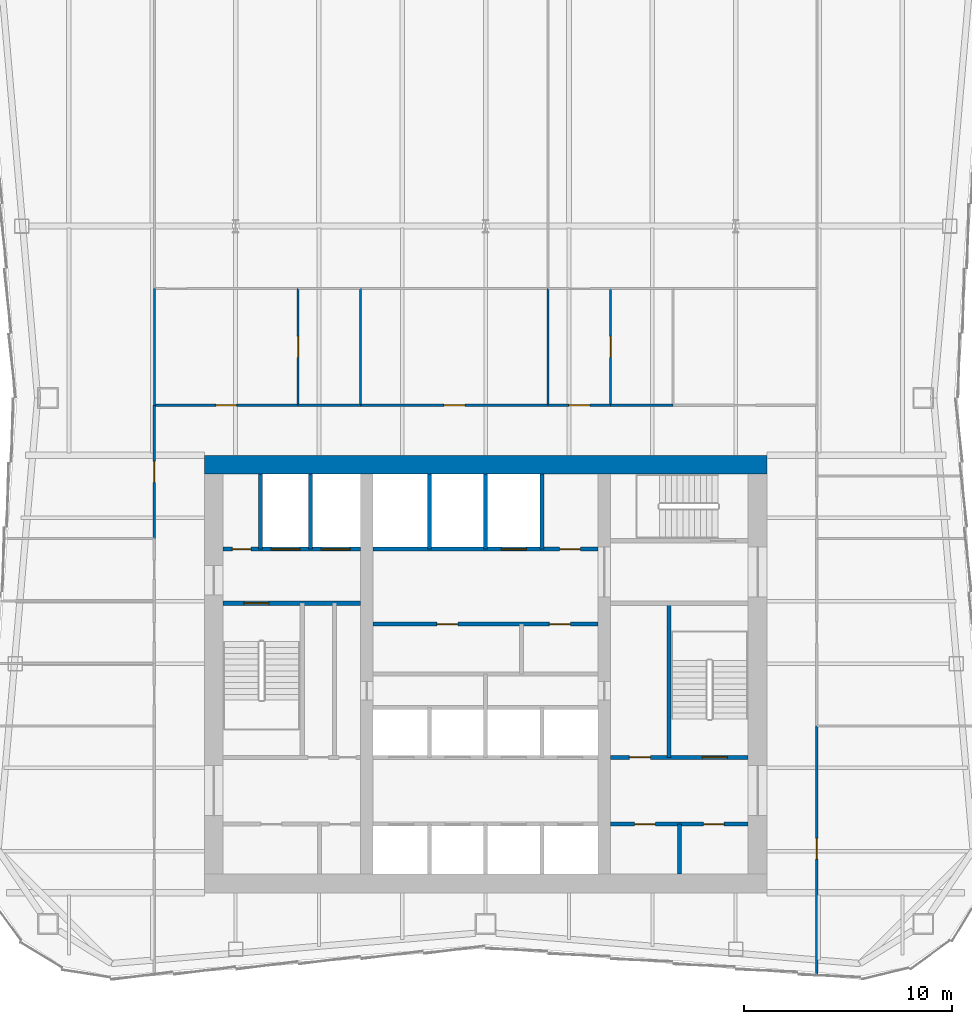
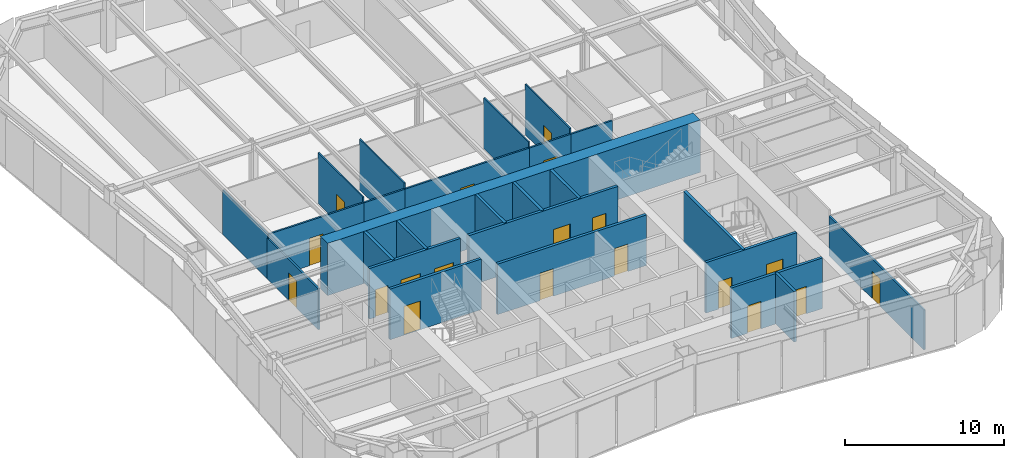
# One storey, part 6 of 10: 26 walls, 19 doors, 19 openings.
"""IFC4 building model written with IfcOpenShell, lengths in metres."""

from ifc_helpers import new_model, si_unit, direction, frame, frame_2d, origin, place, context, subcontext, project, spatial, rectangle, extrude, material, layer, layer_set, type_object, element, fill, save


model = new_model("IFC4")

# Units and contexts
model_context = context("Model", 3, precision=1e-05, world=origin(), true_north=direction((0.0, 1.0)))
body_context = subcontext(model_context, "Body", "Model", "MODEL_VIEW")
ifc_project = project(units=[si_unit("LENGTHUNIT", "METRE"), si_unit("AREAUNIT", "SQUARE_METRE"), si_unit("VOLUMEUNIT", "CUBIC_METRE"), si_unit("PLANEANGLEUNIT", "RADIAN"), si_unit("MASSUNIT", "GRAM", prefix="KILO")], contexts=[model_context])

# Site, building, storey
site_placement = place(None, origin())
site = spatial("IfcSite", under=ifc_project, at=site_placement, CompositionType="ELEMENT")
building_placement = place(site_placement, origin())
building = spatial("IfcBuilding", under=site, at=building_placement, Name="Verdant Reach Tower", CompositionType="ELEMENT")
storey_placement = place(building_placement, frame((0.0, 0.0, 186.0)))
storey = spatial("IfcBuildingStorey", under=building, at=storey_placement, Name="L42", CompositionType="ELEMENT", Elevation=186.0)

# Wall, openings, doors
ifc_material_1 = material(Name="Gypsum board on steel studs", Category="steel")
ifc_layer_1 = layer(ifc_material_1, 0.199951171875)
ifc_layer_set_1 = layer_set([ifc_layer_1], Name="CO-WALL-ROOM")
wall_type_1 = type_object("IfcWallType", Name="CO-WALL-ROOM", PredefinedType="PARTITIONING", material=ifc_layer_set_1)
wall_1_placement = place(storey_placement, frame((6.0, 20.800048828125, 0.0), z_axis=(0.0, 0.0, 1.0), x_axis=(1.0, 0.0, 0.0)))
wall_1 = element("IfcWall", 1, at=wall_1_placement, inside=storey, type_object=wall_type_1, Name="Core partition, L42", PredefinedType="PARTITIONING", context=body_context, shape_type="SweptSolid", body=[
    extrude(rectangle(XDim=6.60009765625, YDim=0.199951171875, at=frame_2d((3.300048828125, 0.0))), origin(), (0.0, 0.0, 1.0), 3.8701171875),
])
opening_1_placement = place(wall_1_placement, frame((1.14990234375, 0.0, 0.0)))
opening_1 = element("IfcOpeningElement", 2, at=opening_1_placement, cuts=wall_1, Name="Opening CD", PredefinedType="OPENING", context=body_context, shape_type="SweptSolid", body=[
    extrude(rectangle(XDim=1.0, YDim=2.10009765625, at=frame_2d((0.5, 1.050048828125))), frame((0.0, 0.10986328125, 0.0), z_axis=(0.0, -1.0, 0.0), x_axis=(1.0, 0.0, 0.0)), (0.0, 0.0, 1.0), 0.219970703125),
])
opening_2_placement = place(wall_1_placement, frame((4.449951171875, 0.0, 0.0)))
opening_2 = element("IfcOpeningElement", 3, at=opening_2_placement, cuts=wall_1, Name="Opening CD", PredefinedType="OPENING", context=body_context, shape_type="SweptSolid", body=[
    extrude(rectangle(XDim=1.0, YDim=2.10009765625, at=frame_2d((0.5, 1.050048828125))), frame((0.0, 0.10986328125, 0.0), z_axis=(0.0, -1.0, 0.0), x_axis=(1.0, 0.0, 0.0)), (0.0, 0.0, 1.0), 0.219970703125),
])
ifc_material_2 = material(Name="Timber", Category="wood")
door_type_1 = type_object("IfcDoorType", Name="CO-DOOR-ROOM", OperationType="NOTDEFINED", PredefinedType="DOOR", material=ifc_material_2)
door_1_placement = place(opening_1_placement, origin())
door_1 = element("IfcDoor", 4, at=door_1_placement, inside=storey, type_object=door_type_1, Name="Core room door, L42", OperationType="SINGLE_SWING_LEFT", OverallHeight=2.10009765625, OverallWidth=1.0, PredefinedType="DOOR", context=body_context, shape_type="SweptSolid", body=[
    extrude(rectangle(XDim=1.0, YDim=2.10009765625, at=frame_2d((0.5, 1.050048828125))), frame((0.0, 0.02490234375, 0.0), z_axis=(0.0, -1.0, 0.0), x_axis=(1.0, 0.0, 0.0)), (0.0, 0.0, 1.0), 0.050048828125),
])
fill(opening_1, door_1)
door_2_placement = place(opening_2_placement, origin())
door_2 = element("IfcDoor", 5, at=door_2_placement, inside=storey, type_object=door_type_1, Name="Core room door, L42", OperationType="SINGLE_SWING_LEFT", OverallHeight=2.10009765625, OverallWidth=1.0, PredefinedType="DOOR", context=body_context, shape_type="SweptSolid", body=[
    extrude(rectangle(XDim=1.0, YDim=2.10009765625, at=frame_2d((0.5, 1.050048828125))), frame((0.0, 0.02490234375, 0.0), z_axis=(0.0, -1.0, 0.0), x_axis=(1.0, 0.0, 0.0)), (0.0, 0.0, 1.0), 0.050048828125),
])
fill(opening_2, door_2)

wall_2_placement = place(storey_placement, frame((-5.39990234375, 30.39990234375, 0.0), z_axis=(0.0, 0.0, 1.0), x_axis=(1.0, 0.0, 0.0)))
wall_2 = element("IfcWall", 6, at=wall_2_placement, inside=storey, type_object=wall_type_1, Name="Core partition, L42", PredefinedType="PARTITIONING", context=body_context, shape_type="SweptSolid", body=[
    extrude(rectangle(XDim=10.7998046875, YDim=0.199951171875, at=frame_2d((5.39990234375, 0.0))), origin(), (0.0, 0.0, 1.0), 3.8701171875),
])
opening_3_placement = place(wall_2_placement, frame((3.06396484375, 0.0, 0.0)))
opening_3 = element("IfcOpeningElement", 7, at=opening_3_placement, cuts=wall_2, Name="Opening CD", PredefinedType="OPENING", context=body_context, shape_type="SweptSolid", body=[
    extrude(rectangle(XDim=1.0, YDim=2.10009765625, at=frame_2d((0.5, 1.050048828125))), frame((0.0, 0.10986328125, 0.0), z_axis=(0.0, -1.0, 0.0), x_axis=(1.0, 0.0, 0.0)), (0.0, 0.0, 1.0), 0.219970703125),
])
opening_4_placement = place(wall_2_placement, frame((8.464111328125, 0.0, 0.0)))
opening_4 = element("IfcOpeningElement", 8, at=opening_4_placement, cuts=wall_2, Name="Opening CD", PredefinedType="OPENING", context=body_context, shape_type="SweptSolid", body=[
    extrude(rectangle(XDim=1.0, YDim=2.10009765625, at=frame_2d((0.5, 1.050048828125))), frame((0.0, 0.10986328125, 0.0), z_axis=(0.0, -1.0, 0.0), x_axis=(1.0, 0.0, 0.0)), (0.0, 0.0, 1.0), 0.219970703125),
])
door_3_placement = place(opening_3_placement, origin())
door_3 = element("IfcDoor", 9, at=door_3_placement, inside=storey, type_object=door_type_1, Name="Core room door, L42", OperationType="SINGLE_SWING_RIGHT", OverallHeight=2.10009765625, OverallWidth=1.0, PredefinedType="DOOR", context=body_context, shape_type="SweptSolid", body=[
    extrude(rectangle(XDim=1.0, YDim=2.10009765625, at=frame_2d((0.5, 1.050048828125))), frame((0.0, 0.02490234375, 0.0), z_axis=(0.0, -1.0, 0.0), x_axis=(1.0, 0.0, 0.0)), (0.0, 0.0, 1.0), 0.050048828125),
])
fill(opening_3, door_3)
door_4_placement = place(opening_4_placement, origin())
door_4 = element("IfcDoor", 10, at=door_4_placement, inside=storey, type_object=door_type_1, Name="Core room door, L42", OperationType="SINGLE_SWING_LEFT", OverallHeight=2.10009765625, OverallWidth=1.0, PredefinedType="DOOR", context=body_context, shape_type="SweptSolid", body=[
    extrude(rectangle(XDim=1.0, YDim=2.10009765625, at=frame_2d((0.5, 1.050048828125))), frame((0.0, 0.02490234375, 0.0), z_axis=(0.0, -1.0, 0.0), x_axis=(1.0, 0.0, 0.0)), (0.0, 0.0, 1.0), 0.050048828125),
])
fill(opening_4, door_4)

# Wall
wall_3_placement = place(storey_placement, frame((9.300048828125, 18.39990234375, 0.0), z_axis=(0.0, 0.0, 1.0), x_axis=(0.0, 1.0, 0.0)))
element("IfcWall", 11, at=wall_3_placement, inside=storey, type_object=wall_type_1, Name="Core partition, L42", PredefinedType="PARTITIONING", context=body_context, shape_type="SweptSolid", body=[
    extrude(rectangle(XDim=2.400146484375, YDim=0.199951171875, at=frame_2d((1.2001953125, 0.0))), origin(), (0.0, 0.0, 1.0), 3.8701171875),
])

# Wall, openings, doors
ifc_material_3 = material(Name="Concrete C40/50", Category="concrete")
ifc_layer_2 = layer(ifc_material_3, 0.199951171875)
ifc_layer_set_2 = layer_set([ifc_layer_2], Name="CO-WALL-SHAFT")
wall_type_2 = type_object("IfcWallType", Name="CO-WALL-SHAFT", PredefinedType="PARTITIONING", material=ifc_layer_set_2)
wall_4_placement = place(storey_placement, frame((-12.60009765625, 34.0, 0.0), z_axis=(0.0, 0.0, 1.0), x_axis=(1.0, 0.0, 0.0)))
wall_4 = element("IfcWall", 12, at=wall_4_placement, inside=storey, type_object=wall_type_2, Name="Lift shaft wall, L42", PredefinedType="PARTITIONING", context=body_context, shape_type="SweptSolid", body=[
    extrude(rectangle(XDim=6.60009765625, YDim=0.199951171875, at=frame_2d((3.300048828125, 0.0))), origin(), (0.0, 0.0, 1.0), 3.8701171875),
])
opening_5_placement = place(wall_4_placement, frame((4.699951171875, 0.0, 0.0)))
opening_5 = element("IfcOpeningElement", 13, at=opening_5_placement, cuts=wall_4, Name="Opening LD-F1", PredefinedType="OPENING", context=body_context, shape_type="SweptSolid", body=[
    extrude(rectangle(XDim=1.39990234375, YDim=2.199951171875, at=frame_2d((0.699951171875, 1.10009765625))), frame((0.0, 0.10986328125, 0.0), z_axis=(0.0, -1.0, 0.0), x_axis=(1.0, 0.0, 0.0)), (0.0, 0.0, 1.0), 0.219970703125),
])
opening_6_placement = place(wall_4_placement, frame((2.300048828125, 0.0, 0.0)))
opening_6 = element("IfcOpeningElement", 14, at=opening_6_placement, cuts=wall_4, Name="Opening LD-F2", PredefinedType="OPENING", context=body_context, shape_type="SweptSolid", body=[
    extrude(rectangle(XDim=1.39990234375, YDim=2.199951171875, at=frame_2d((0.699951171875, 1.10009765625))), frame((0.0, 0.10986328125, 0.0), z_axis=(0.0, -1.0, 0.0), x_axis=(1.0, 0.0, 0.0)), (0.0, 0.0, 1.0), 0.219970703125),
])
opening_7_placement = place(wall_4_placement, frame((0.449951171875, 0.0, 0.0)))
opening_7 = element("IfcOpeningElement", 15, at=opening_7_placement, cuts=wall_4, Name="Opening RD", PredefinedType="OPENING", context=body_context, shape_type="SweptSolid", body=[
    extrude(rectangle(XDim=0.89990234375, YDim=2.10009765625, at=frame_2d((0.449951171875, 1.050048828125))), frame((0.0, 0.10986328125, 0.0), z_axis=(0.0, -1.0, 0.0), x_axis=(1.0, 0.0, 0.0)), (0.0, 0.0, 1.0), 0.219970703125),
])
ifc_material_4 = material(Name="Stainless steel", Category="steel")
door_type_2 = type_object("IfcDoorType", Name="CO-DOOR-LANDING-FF", OperationType="SLIDING_TO_LEFT", PredefinedType="DOOR", material=ifc_material_4)
door_5_placement = place(opening_5_placement, origin())
door_5 = element("IfcDoor", 16, at=door_5_placement, inside=storey, type_object=door_type_2, Name="Landing door F1, L42", OperationType="SLIDING_TO_LEFT", OverallHeight=2.199951171875, OverallWidth=1.39990234375, PredefinedType="DOOR", context=body_context, shape_type="SweptSolid", body=[
    extrude(rectangle(XDim=1.39990234375, YDim=2.199951171875, at=frame_2d((0.699951171875, 1.10009765625))), frame((0.0, 0.02490234375, 0.0), z_axis=(0.0, -1.0, 0.0), x_axis=(1.0, 0.0, 0.0)), (0.0, 0.0, 1.0), 0.050048828125),
])
fill(opening_5, door_5)
door_6_placement = place(opening_6_placement, origin())
door_6 = element("IfcDoor", 17, at=door_6_placement, inside=storey, type_object=door_type_2, Name="Landing door F2, L42", OperationType="SLIDING_TO_LEFT", OverallHeight=2.199951171875, OverallWidth=1.39990234375, PredefinedType="DOOR", context=body_context, shape_type="SweptSolid", body=[
    extrude(rectangle(XDim=1.39990234375, YDim=2.199951171875, at=frame_2d((0.699951171875, 1.10009765625))), frame((0.0, 0.02490234375, 0.0), z_axis=(0.0, -1.0, 0.0), x_axis=(1.0, 0.0, 0.0)), (0.0, 0.0, 1.0), 0.050048828125),
])
fill(opening_6, door_6)
ifc_material_5 = material(Name="Steel", Category="steel")
door_type_3 = type_object("IfcDoorType", Name="CO-DOOR-RISER", OperationType="NOTDEFINED", PredefinedType="DOOR", material=ifc_material_5)
door_7_placement = place(opening_7_placement, origin())
door_7 = element("IfcDoor", 18, at=door_7_placement, inside=storey, type_object=door_type_3, Name="Core room door, L42", OperationType="SINGLE_SWING_RIGHT", OverallHeight=2.10009765625, OverallWidth=0.89990234375, PredefinedType="DOOR", context=body_context, shape_type="SweptSolid", body=[
    extrude(rectangle(XDim=0.89990234375, YDim=2.10009765625, at=frame_2d((0.449951171875, 1.050048828125))), frame((0.0, 0.02490234375, 0.0), z_axis=(0.0, -1.0, 0.0), x_axis=(1.0, 0.0, 0.0)), (0.0, 0.0, 1.0), 0.050048828125),
])
fill(opening_7, door_7)

wall_5_placement = place(storey_placement, frame((-5.39990234375, 34.0, 0.0), z_axis=(0.0, 0.0, 1.0), x_axis=(1.0, 0.0, 0.0)))
wall_5 = element("IfcWall", 19, at=wall_5_placement, inside=storey, type_object=wall_type_2, Name="Lift shaft wall, L42", PredefinedType="PARTITIONING", context=body_context, shape_type="SweptSolid", body=[
    extrude(rectangle(XDim=10.7998046875, YDim=0.199951171875, at=frame_2d((5.39990234375, 0.0))), origin(), (0.0, 0.0, 1.0), 3.8701171875),
])
opening_8_placement = place(wall_5_placement, frame((6.14990234375, 0.0, 0.0)))
opening_8 = element("IfcOpeningElement", 20, at=opening_8_placement, cuts=wall_5, Name="Opening LD-SL1", PredefinedType="OPENING", context=body_context, shape_type="SweptSolid", body=[
    extrude(rectangle(XDim=1.199951171875, YDim=2.199951171875, at=frame_2d((0.60009765625, 1.10009765625))), frame((0.0, 0.10986328125, 0.0), z_axis=(0.0, -1.0, 0.0), x_axis=(1.0, 0.0, 0.0)), (0.0, 0.0, 1.0), 0.219970703125),
])
opening_9_placement = place(wall_5_placement, frame((8.949951171875, 0.0, 0.0)))
opening_9 = element("IfcOpeningElement", 21, at=opening_9_placement, cuts=wall_5, Name="Opening CD", PredefinedType="OPENING", context=body_context, shape_type="SweptSolid", body=[
    extrude(rectangle(XDim=1.0, YDim=2.10009765625, at=frame_2d((0.5, 1.050048828125))), frame((0.0, 0.10986328125, 0.0), z_axis=(0.0, -1.0, 0.0), x_axis=(1.0, 0.0, 0.0)), (0.0, 0.0, 1.0), 0.219970703125),
])
door_type_4 = type_object("IfcDoorType", Name="CO-DOOR-LANDING", OperationType="SLIDING_TO_LEFT", PredefinedType="DOOR", material=ifc_material_4)
door_8_placement = place(opening_8_placement, origin())
door_8 = element("IfcDoor", 22, at=door_8_placement, inside=storey, type_object=door_type_4, Name="Landing door SL1, L42", OperationType="SLIDING_TO_LEFT", OverallHeight=2.199951171875, OverallWidth=1.199951171875, PredefinedType="DOOR", context=body_context, shape_type="SweptSolid", body=[
    extrude(rectangle(XDim=1.199951171875, YDim=2.199951171875, at=frame_2d((0.60009765625, 1.10009765625))), frame((0.0, 0.02490234375, 0.0), z_axis=(0.0, -1.0, 0.0), x_axis=(1.0, 0.0, 0.0)), (0.0, 0.0, 1.0), 0.050048828125),
])
fill(opening_8, door_8)
door_9_placement = place(opening_9_placement, origin())
door_9 = element("IfcDoor", 23, at=door_9_placement, inside=storey, type_object=door_type_1, Name="Core room door, L42", OperationType="SINGLE_SWING_LEFT", OverallHeight=2.10009765625, OverallWidth=1.0, PredefinedType="DOOR", context=body_context, shape_type="SweptSolid", body=[
    extrude(rectangle(XDim=1.0, YDim=2.10009765625, at=frame_2d((0.5, 1.050048828125))), frame((0.0, 0.02490234375, 0.0), z_axis=(0.0, -1.0, 0.0), x_axis=(1.0, 0.0, 0.0)), (0.0, 0.0, 1.0), 0.050048828125),
])
fill(opening_9, door_9)

# Walls
for number, where, z_axis, x_axis, name in (
    (24, (-10.800048828125, 34.0, 0.0), (0.0, 0.0, 1.0), (0.0, 1.0, 0.0), "Lift shaft wall, L42"),
    (25, (-8.39990234375, 34.0, 0.0), (0.0, 0.0, 1.0), (0.0, 1.0, 0.0), "Lift shaft wall, L42"),
    (26, (-2.699951171875, 34.0, 0.0), (0.0, 0.0, 1.0), (0.0, 1.0, 0.0), "Lift shaft wall, L42"),
    (27, (0.0, 34.0, 0.0), (0.0, 0.0, 1.0), (0.0, 1.0, 0.0), "Lift shaft wall, L42"),
    (28, (2.699951171875, 34.0, 0.0), (0.0, 0.0, 1.0), (0.0, 1.0, 0.0), "Lift shaft wall, L42"),
):
    element("IfcWall", number, at=place(storey_placement, frame(where, z_axis=z_axis, x_axis=x_axis)), inside=storey, type_object=wall_type_2, Name=name, PredefinedType="PARTITIONING", context=body_context, shape_type="SweptSolid", body=[
        extrude(rectangle(XDim=3.60009765625, YDim=0.199951171875, at=frame_2d((1.800048828125, 0.0))), origin(), (0.0, 0.0, 1.0), 3.8701171875),
    ])

# Wall, openings, doors
ifc_layer_3 = layer(ifc_material_3, 0.199951171875)
ifc_layer_set_3 = layer_set([ifc_layer_3], Name="CO-WALL-STAIR")
wall_type_3 = type_object("IfcWallType", Name="CO-WALL-STAIR", PredefinedType="PARTITIONING", material=ifc_layer_set_3)
wall_6_placement = place(storey_placement, frame((6.0, 24.0, 0.0), z_axis=(0.0, 0.0, 1.0), x_axis=(1.0, 0.0, 0.0)))
wall_6 = element("IfcWall", 29, at=wall_6_placement, inside=storey, type_object=wall_type_3, Name="Stair enclosure wall, L42", PredefinedType="PARTITIONING", context=body_context, shape_type="SweptSolid", body=[
    extrude(rectangle(XDim=6.60009765625, YDim=0.199951171875, at=frame_2d((3.300048828125, 0.0))), origin(), (0.0, 0.0, 1.0), 3.8701171875),
])
opening_10_placement = place(wall_6_placement, frame((0.89990234375, 0.0, 0.0)))
opening_10 = element("IfcOpeningElement", 30, at=opening_10_placement, cuts=wall_6, Name="Opening CD", PredefinedType="OPENING", context=body_context, shape_type="SweptSolid", body=[
    extrude(rectangle(XDim=1.0, YDim=2.10009765625, at=frame_2d((0.5, 1.050048828125))), frame((0.0, 0.10986328125, 0.0), z_axis=(0.0, -1.0, 0.0), x_axis=(1.0, 0.0, 0.0)), (0.0, 0.0, 1.0), 0.219970703125),
])
opening_11_placement = place(wall_6_placement, frame((4.39990234375, 0.0, 0.0)))
opening_11 = element("IfcOpeningElement", 31, at=opening_11_placement, cuts=wall_6, Name="Opening SD", PredefinedType="OPENING", context=body_context, shape_type="SweptSolid", body=[
    extrude(rectangle(XDim=1.199951171875, YDim=2.199951171875, at=frame_2d((0.60009765625, 1.10009765625))), frame((0.0, 0.10986328125, 0.0), z_axis=(0.0, -1.0, 0.0), x_axis=(1.0, 0.0, 0.0)), (0.0, 0.0, 1.0), 0.219970703125),
])
door_10_placement = place(opening_10_placement, origin())
door_10 = element("IfcDoor", 32, at=door_10_placement, inside=storey, type_object=door_type_1, Name="Core room door, L42", OperationType="SINGLE_SWING_RIGHT", OverallHeight=2.10009765625, OverallWidth=1.0, PredefinedType="DOOR", context=body_context, shape_type="SweptSolid", body=[
    extrude(rectangle(XDim=1.0, YDim=2.10009765625, at=frame_2d((0.5, 1.050048828125))), frame((0.0, 0.02490234375, 0.0), z_axis=(0.0, -1.0, 0.0), x_axis=(1.0, 0.0, 0.0)), (0.0, 0.0, 1.0), 0.050048828125),
])
fill(opening_10, door_10)
door_type_5 = type_object("IfcDoorType", Name="CO-DOOR-STAIR", OperationType="NOTDEFINED", PredefinedType="DOOR", material=ifc_material_5)
door_11_placement = place(opening_11_placement, origin())
door_11 = element("IfcDoor", 33, at=door_11_placement, inside=storey, type_object=door_type_5, Name="Stair door, L42", OperationType="SINGLE_SWING_LEFT", OverallHeight=2.199951171875, OverallWidth=1.199951171875, PredefinedType="DOOR", context=body_context, shape_type="SweptSolid", body=[
    extrude(rectangle(XDim=1.199951171875, YDim=2.199951171875, at=frame_2d((0.60009765625, 1.10009765625))), frame((0.0, 0.02490234375, 0.0), z_axis=(0.0, -1.0, 0.0), x_axis=(1.0, 0.0, 0.0)), (0.0, 0.0, 1.0), 0.050048828125),
])
fill(opening_11, door_11)

# Wall, opening, door
wall_7_placement = place(storey_placement, frame((-12.60009765625, 31.39990234375, 0.0), z_axis=(0.0, 0.0, 1.0), x_axis=(1.0, 0.0, 0.0)))
wall_7 = element("IfcWall", 34, at=wall_7_placement, inside=storey, type_object=wall_type_3, Name="Stair enclosure wall, L42", PredefinedType="PARTITIONING", context=body_context, shape_type="SweptSolid", body=[
    extrude(rectangle(XDim=6.60009765625, YDim=0.199951171875, at=frame_2d((3.300048828125, 0.0))), origin(), (0.0, 0.0, 1.0), 3.8701171875),
])
opening_12_placement = place(wall_7_placement, frame((1.0, 0.0, 0.0)))
opening_12 = element("IfcOpeningElement", 35, at=opening_12_placement, cuts=wall_7, Name="Opening SD", PredefinedType="OPENING", context=body_context, shape_type="SweptSolid", body=[
    extrude(rectangle(XDim=1.199951171875, YDim=2.199951171875, at=frame_2d((0.60009765625, 1.10009765625))), frame((0.0, 0.10986328125, 0.0), z_axis=(0.0, -1.0, 0.0), x_axis=(1.0, 0.0, 0.0)), (0.0, 0.0, 1.0), 0.219970703125),
])
door_12_placement = place(opening_12_placement, origin())
door_12 = element("IfcDoor", 36, at=door_12_placement, inside=storey, type_object=door_type_5, Name="Stair door, L42", OperationType="SINGLE_SWING_RIGHT", OverallHeight=2.199951171875, OverallWidth=1.199951171875, PredefinedType="DOOR", context=body_context, shape_type="SweptSolid", body=[
    extrude(rectangle(XDim=1.199951171875, YDim=2.199951171875, at=frame_2d((0.60009765625, 1.10009765625))), frame((0.0, 0.02490234375, 0.0), z_axis=(0.0, -1.0, 0.0), x_axis=(1.0, 0.0, 0.0)), (0.0, 0.0, 1.0), 0.050048828125),
])
fill(opening_12, door_12)

# Wall
wall_8_placement = place(storey_placement, frame((8.800048828125, 24.0, 0.0), z_axis=(0.0, 0.0, 1.0), x_axis=(0.0, 1.0, 0.0)))
element("IfcWall", 37, at=wall_8_placement, inside=storey, type_object=wall_type_3, Name="Stair enclosure wall, L42", PredefinedType="PARTITIONING", context=body_context, shape_type="SweptSolid", body=[
    extrude(rectangle(XDim=7.39990234375, YDim=0.199951171875, at=frame_2d((3.699951171875, 0.0))), origin(), (0.0, 0.0, 1.0), 3.8701171875),
])

# Wall, opening, door
ifc_layer_4 = layer(ifc_material_1, 0.10009765625)
ifc_layer_set_4 = layer_set([ifc_layer_4], Name="FL-W1 Partition 100")
wall_type_4 = type_object("IfcWallType", Name="FL-W1 Partition 100", PredefinedType="PARTITIONING", material=ifc_layer_set_4)
wall_9_placement = place(storey_placement, frame((-9.0, 46.5, 0.0), z_axis=(0.0, 0.0, 1.0), x_axis=(0.0, -1.0, 0.0)))
wall_9 = element("IfcWall", 38, at=wall_9_placement, inside=storey, type_object=wall_type_4, Name="Partition 42.16", PredefinedType="PARTITIONING", context=body_context, shape_type="SweptSolid", body=[
    extrude(rectangle(XDim=5.60009765625, YDim=0.10009765625, at=frame_2d((2.800048828125, 0.0))), origin(), (0.0, 0.0, 1.0), 3.8701171875),
])
opening_13_placement = place(wall_9_placement, frame((2.300048828125, 0.0, 0.0)))
opening_13 = element("IfcOpeningElement", 39, at=opening_13_placement, cuts=wall_9, Name="Opening D3", PredefinedType="OPENING", context=body_context, shape_type="SweptSolid", body=[
    extrude(rectangle(XDim=1.0, YDim=2.10009765625, at=frame_2d((0.5, 1.050048828125))), frame((0.0, 0.06005859375, 0.0), z_axis=(0.0, -1.0, 0.0), x_axis=(1.0, 0.0, 0.0)), (0.0, 0.0, 1.0), 0.1201171875),
])
ifc_material_6 = material(Name="Painted timber door leaf", Category="wood")
door_type_6 = type_object("IfcDoorType", Name="FL-D3 Door 1000x2100", OperationType="NOTDEFINED", PredefinedType="DOOR", material=ifc_material_6)
door_13_placement = place(opening_13_placement, origin())
door_13 = element("IfcDoor", 40, at=door_13_placement, inside=storey, type_object=door_type_6, Name="Door 42-014", OperationType="SINGLE_SWING_RIGHT", OverallHeight=2.10009765625, OverallWidth=1.0, PredefinedType="DOOR", context=body_context, shape_type="SweptSolid", body=[
    extrude(rectangle(XDim=1.0, YDim=2.10009765625, at=frame_2d((0.5, 1.050048828125))), frame((0.0, 0.02490234375, 0.0), z_axis=(0.0, -1.0, 0.0), x_axis=(1.0, 0.0, 0.0)), (0.0, 0.0, 1.0), 0.050048828125),
])
fill(opening_13, door_13)

# Walls
wall_10_placement = place(storey_placement, frame((-15.89990234375, 46.50390625, 0.0), z_axis=(0.0, 0.0, 1.0), x_axis=(0.0, -1.0, 0.0)))
element("IfcWall", 41, at=wall_10_placement, inside=storey, type_object=wall_type_4, Name="Partition 42.18", PredefinedType="PARTITIONING", context=body_context, shape_type="SweptSolid", body=[
    extrude(rectangle(XDim=5.60791015625, YDim=0.10009765625, at=frame_2d((2.803955078125, 0.0))), origin(), (0.0, 0.0, 1.0), 3.43994140625),
])
for number, where, z_axis, x_axis, name in (
    (42, (-6.0, 40.89990234375, 0.0), (0.0, 0.0, 1.0), (0.0, 1.0, 0.0), "Partition 42.19"),
    (43, (3.0, 40.89990234375, 0.0), (0.0, 0.0, 1.0), (0.0, 1.0, 0.0), "Partition 42.22"),
):
    element("IfcWall", number, at=place(storey_placement, frame(where, z_axis=z_axis, x_axis=x_axis)), inside=storey, type_object=wall_type_4, Name=name, PredefinedType="PARTITIONING", context=body_context, shape_type="SweptSolid", body=[
        extrude(rectangle(XDim=5.60009765625, YDim=0.10009765625, at=frame_2d((2.800048828125, 0.0))), origin(), (0.0, 0.0, 1.0), 3.8701171875),
    ])

# Wall, opening, door
wall_11_placement = place(storey_placement, frame((6.0, 46.5, 0.0), z_axis=(0.0, 0.0, 1.0), x_axis=(0.0, -1.0, 0.0)))
wall_11 = element("IfcWall", 44, at=wall_11_placement, inside=storey, type_object=wall_type_4, Name="Partition 42.30", PredefinedType="PARTITIONING", context=body_context, shape_type="SweptSolid", body=[
    extrude(rectangle(XDim=5.60009765625, YDim=0.10009765625, at=frame_2d((2.800048828125, 0.0))), origin(), (0.0, 0.0, 1.0), 3.8701171875),
])
opening_14_placement = place(wall_11_placement, frame((2.300048828125, 0.0, 0.0)))
opening_14 = element("IfcOpeningElement", 45, at=opening_14_placement, cuts=wall_11, Name="Opening D3", PredefinedType="OPENING", context=body_context, shape_type="SweptSolid", body=[
    extrude(rectangle(XDim=1.0, YDim=2.10009765625, at=frame_2d((0.5, 1.050048828125))), frame((0.0, 0.06005859375, 0.0), z_axis=(0.0, -1.0, 0.0), x_axis=(1.0, 0.0, 0.0)), (0.0, 0.0, 1.0), 0.1201171875),
])
door_14_placement = place(opening_14_placement, origin())
door_14 = element("IfcDoor", 46, at=door_14_placement, inside=storey, type_object=door_type_6, Name="Door 42-018", OperationType="SINGLE_SWING_RIGHT", OverallHeight=2.10009765625, OverallWidth=1.0, PredefinedType="DOOR", context=body_context, shape_type="SweptSolid", body=[
    extrude(rectangle(XDim=1.0, YDim=2.10009765625, at=frame_2d((0.5, 1.050048828125))), frame((0.0, 0.02490234375, 0.0), z_axis=(0.0, -1.0, 0.0), x_axis=(1.0, 0.0, 0.0)), (0.0, 0.0, 1.0), 0.050048828125),
])
fill(opening_14, door_14)

ifc_material_7 = material(Name="Gypsum board on steel studs, fire rated", Category="steel")
ifc_layer_5 = layer(ifc_material_7, 0.125)
ifc_layer_set_5 = layer_set([ifc_layer_5], Name="FL-W2 Corridor wall 125")
wall_type_5 = type_object("IfcWallType", Name="FL-W2 Corridor wall 125", PredefinedType="PARTITIONING", material=ifc_layer_set_5)
wall_12_placement = place(storey_placement, frame((-15.89990234375, 40.89990234375, 0.0), z_axis=(0.0, 0.0, 1.0), x_axis=(1.0, 0.0, 0.0)))
wall_12 = element("IfcWall", 47, at=wall_12_placement, inside=storey, type_object=wall_type_5, Name="Partition 42.01", PredefinedType="PARTITIONING", context=body_context, shape_type="SweptSolid", body=[
    extrude(rectangle(XDim=6.89990234375, YDim=0.125, at=frame_2d((3.449951171875, 0.0))), origin(), (0.0, 0.0, 1.0), 3.43994140625),
])
opening_15_placement = place(wall_12_placement, frame((2.949951171875, 0.0, 0.0)))
opening_15 = element("IfcOpeningElement", 48, at=opening_15_placement, cuts=wall_12, Name="Opening D2", PredefinedType="OPENING", context=body_context, shape_type="SweptSolid", body=[
    extrude(rectangle(XDim=1.0, YDim=2.10009765625, at=frame_2d((0.5, 1.050048828125))), frame((0.0, 0.072509765625, 0.0), z_axis=(0.0, -1.0, 0.0), x_axis=(1.0, 0.0, 0.0)), (0.0, 0.0, 1.0), 0.14501953125),
])
ifc_material_8 = material(Name="Timber door leaf, fire rated", Category="wood")
door_type_7 = type_object("IfcDoorType", Name="FL-D2 Entrance door 1000x2100 FD30", OperationType="NOTDEFINED", PredefinedType="DOOR", material=ifc_material_8)
door_15_placement = place(opening_15_placement, origin())
door_15 = element("IfcDoor", 49, at=door_15_placement, inside=storey, type_object=door_type_7, Name="Door 42-001", OperationType="SINGLE_SWING_LEFT", OverallHeight=2.10009765625, OverallWidth=1.0, PredefinedType="DOOR", context=body_context, shape_type="SweptSolid", body=[
    extrude(rectangle(XDim=1.0, YDim=2.10009765625, at=frame_2d((0.5, 1.050048828125))), frame((0.0, 0.02490234375, 0.0), z_axis=(0.0, -1.0, 0.0), x_axis=(1.0, 0.0, 0.0)), (0.0, 0.0, 1.0), 0.050048828125),
])
fill(opening_15, door_15)

# Wall
wall_13_placement = place(storey_placement, frame((-6.0, 40.89990234375, 0.0), z_axis=(0.0, 0.0, 1.0), x_axis=(-1.0, 0.0, 0.0)))
element("IfcWall", 50, at=wall_13_placement, inside=storey, type_object=wall_type_5, Name="Partition 42.02", PredefinedType="PARTITIONING", context=body_context, shape_type="SweptSolid", body=[
    extrude(rectangle(XDim=3.0, YDim=0.125, at=frame_2d((1.5, 0.0))), origin(), (0.0, 0.0, 1.0), 3.43994140625),
])

# Wall, opening, door
wall_14_placement = place(storey_placement, frame((-6.0, 40.89990234375, 0.0), z_axis=(0.0, 0.0, 1.0), x_axis=(1.0, 0.0, 0.0)))
wall_14 = element("IfcWall", 51, at=wall_14_placement, inside=storey, type_object=wall_type_5, Name="Partition 42.03", PredefinedType="PARTITIONING", context=body_context, shape_type="SweptSolid", body=[
    extrude(rectangle(XDim=9.0, YDim=0.125, at=frame_2d((4.5, 0.0))), origin(), (0.0, 0.0, 1.0), 3.43994140625),
])
opening_16_placement = place(wall_14_placement, frame((4.0, 0.0, 0.0)))
opening_16 = element("IfcOpeningElement", 52, at=opening_16_placement, cuts=wall_14, Name="Opening D2", PredefinedType="OPENING", context=body_context, shape_type="SweptSolid", body=[
    extrude(rectangle(XDim=1.0, YDim=2.10009765625, at=frame_2d((0.5, 1.050048828125))), frame((0.0, 0.072509765625, 0.0), z_axis=(0.0, -1.0, 0.0), x_axis=(1.0, 0.0, 0.0)), (0.0, 0.0, 1.0), 0.14501953125),
])
door_16_placement = place(opening_16_placement, origin())
door_16 = element("IfcDoor", 53, at=door_16_placement, inside=storey, type_object=door_type_7, Name="Door 42-002", OperationType="SINGLE_SWING_RIGHT", OverallHeight=2.10009765625, OverallWidth=1.0, PredefinedType="DOOR", context=body_context, shape_type="SweptSolid", body=[
    extrude(rectangle(XDim=1.0, YDim=2.10009765625, at=frame_2d((0.5, 1.050048828125))), frame((0.0, 0.02490234375, 0.0), z_axis=(0.0, -1.0, 0.0), x_axis=(1.0, 0.0, 0.0)), (0.0, 0.0, 1.0), 0.050048828125),
])
fill(opening_16, door_16)

wall_15_placement = place(storey_placement, frame((3.0, 40.89990234375, 0.0), z_axis=(0.0, 0.0, 1.0), x_axis=(1.0, 0.0, 0.0)))
wall_15 = element("IfcWall", 54, at=wall_15_placement, inside=storey, type_object=wall_type_5, Name="Partition 42.04", PredefinedType="PARTITIONING", context=body_context, shape_type="SweptSolid", body=[
    extrude(rectangle(XDim=3.0, YDim=0.125, at=frame_2d((1.5, 0.0))), origin(), (0.0, 0.0, 1.0), 3.43994140625),
])
opening_17_placement = place(wall_15_placement, frame((1.0, 0.0, 0.0)))
opening_17 = element("IfcOpeningElement", 55, at=opening_17_placement, cuts=wall_15, Name="Opening D2", PredefinedType="OPENING", context=body_context, shape_type="SweptSolid", body=[
    extrude(rectangle(XDim=1.0, YDim=2.10009765625, at=frame_2d((0.5, 1.050048828125))), frame((0.0, 0.072509765625, 0.0), z_axis=(0.0, -1.0, 0.0), x_axis=(1.0, 0.0, 0.0)), (0.0, 0.0, 1.0), 0.14501953125),
])
door_17_placement = place(opening_17_placement, origin())
door_17 = element("IfcDoor", 56, at=door_17_placement, inside=storey, type_object=door_type_7, Name="Door 42-003", OperationType="SINGLE_SWING_LEFT", OverallHeight=2.10009765625, OverallWidth=1.0, PredefinedType="DOOR", context=body_context, shape_type="SweptSolid", body=[
    extrude(rectangle(XDim=1.0, YDim=2.10009765625, at=frame_2d((0.5, 1.050048828125))), frame((0.0, 0.02490234375, 0.0), z_axis=(0.0, -1.0, 0.0), x_axis=(1.0, 0.0, 0.0)), (0.0, 0.0, 1.0), 0.050048828125),
])
fill(opening_17, door_17)

# Wall
wall_16_placement = place(storey_placement, frame((9.0, 40.89990234375, 0.0), z_axis=(0.0, 0.0, 1.0), x_axis=(-1.0, 0.0, 0.0)))
element("IfcWall", 57, at=wall_16_placement, inside=storey, type_object=wall_type_5, Name="Partition 42.05", PredefinedType="PARTITIONING", context=body_context, shape_type="SweptSolid", body=[
    extrude(rectangle(XDim=3.0, YDim=0.125, at=frame_2d((1.5, 0.0))), origin(), (0.0, 0.0, 1.0), 3.43994140625),
])

# Wall, opening, door
wall_17_placement = place(storey_placement, frame((-15.89990234375, 34.5, 0.0), z_axis=(0.0, 0.0, 1.0), x_axis=(0.0, 1.0, 0.0)))
wall_17 = element("IfcWall", 58, at=wall_17_placement, inside=storey, type_object=wall_type_5, Name="Partition 42.11", PredefinedType="PARTITIONING", context=body_context, shape_type="SweptSolid", body=[
    extrude(rectangle(XDim=6.404052734375, YDim=0.125, at=frame_2d((3.2021484375, 0.0))), origin(), (0.0, 0.0, 1.0), 3.139892578125),
])
opening_18_placement = place(wall_17_placement, frame((2.701904296875, 0.0, 0.0)))
opening_18 = element("IfcOpeningElement", 59, at=opening_18_placement, cuts=wall_17, Name="Opening D2", PredefinedType="OPENING", context=body_context, shape_type="SweptSolid", body=[
    extrude(rectangle(XDim=1.0, YDim=2.10009765625, at=frame_2d((0.5, 1.050048828125))), frame((0.0, 0.072509765625, 0.0), z_axis=(0.0, -1.0, 0.0), x_axis=(1.0, 0.0, 0.0)), (0.0, 0.0, 1.0), 0.14501953125),
])
door_18_placement = place(opening_18_placement, origin())
door_18 = element("IfcDoor", 60, at=door_18_placement, inside=storey, type_object=door_type_7, Name="Door 42-009", OperationType="SINGLE_SWING_LEFT", OverallHeight=2.10009765625, OverallWidth=1.0, PredefinedType="DOOR", context=body_context, shape_type="SweptSolid", body=[
    extrude(rectangle(XDim=1.0, YDim=2.10009765625, at=frame_2d((0.5, 1.050048828125))), frame((0.0, 0.02490234375, 0.0), z_axis=(0.0, -1.0, 0.0), x_axis=(1.0, 0.0, 0.0)), (0.0, 0.0, 1.0), 0.050048828125),
])
fill(opening_18, door_18)

wall_18_placement = place(storey_placement, frame((15.89990234375, 25.5, 0.0), z_axis=(0.0, 0.0, 1.0), x_axis=(0.0, -1.0, 0.0)))
wall_18 = element("IfcWall", 61, at=wall_18_placement, inside=storey, type_object=wall_type_5, Name="Partition 42.12", PredefinedType="PARTITIONING", context=body_context, shape_type="SweptSolid", body=[
    extrude(rectangle(XDim=11.905029296875, YDim=0.125, at=frame_2d((5.95263671875, 0.0))), origin(), (0.0, 0.0, 1.0), 3.0400390625),
])
opening_19_placement = place(wall_18_placement, frame((5.387451171875, 0.0, 0.0)))
opening_19 = element("IfcOpeningElement", 62, at=opening_19_placement, cuts=wall_18, Name="Opening D2", PredefinedType="OPENING", context=body_context, shape_type="SweptSolid", body=[
    extrude(rectangle(XDim=1.0, YDim=2.10009765625, at=frame_2d((0.5, 1.050048828125))), frame((0.0, 0.072509765625, 0.0), z_axis=(0.0, -1.0, 0.0), x_axis=(1.0, 0.0, 0.0)), (0.0, 0.0, 1.0), 0.14501953125),
])
door_19_placement = place(opening_19_placement, origin())
door_19 = element("IfcDoor", 63, at=door_19_placement, inside=storey, type_object=door_type_7, Name="Door 42-010", OperationType="SINGLE_SWING_LEFT", OverallHeight=2.10009765625, OverallWidth=1.0, PredefinedType="DOOR", context=body_context, shape_type="SweptSolid", body=[
    extrude(rectangle(XDim=1.0, YDim=2.10009765625, at=frame_2d((0.5, 1.050048828125))), frame((0.0, 0.02490234375, 0.0), z_axis=(0.0, -1.0, 0.0), x_axis=(1.0, 0.0, 0.0)), (0.0, 0.0, 1.0), 0.050048828125),
])
fill(opening_19, door_19)

# Wall
ifc_material_9 = material(Name="Concrete C70/85", Category="concrete")
ifc_layer_6 = layer(ifc_material_9, 0.89990234375)
ifc_layer_set_6 = layer_set([ifc_layer_6], Name="ST-CORE-WALL-900")
wall_type_6 = type_object("IfcWallType", Name="ST-CORE-WALL-900", PredefinedType="SHEAR", material=ifc_layer_set_6)
wall_19_placement = place(storey_placement, frame((-13.5, 38.050048828125, -0.1298828125), z_axis=(0.0, 0.0, 1.0), x_axis=(1.0, 0.0, 0.0)))
element("IfcWall", 64, at=wall_19_placement, inside=storey, type_object=wall_type_6, Name="Core wall N, L42", PredefinedType="SHEAR", context=body_context, shape_type="SweptSolid", body=[
    extrude(rectangle(XDim=27.0, YDim=0.89990234375, at=frame_2d((13.5, 0.0))), origin(), (0.0, 0.0, 1.0), 4.0),
])

save(model, "model.ifc")
